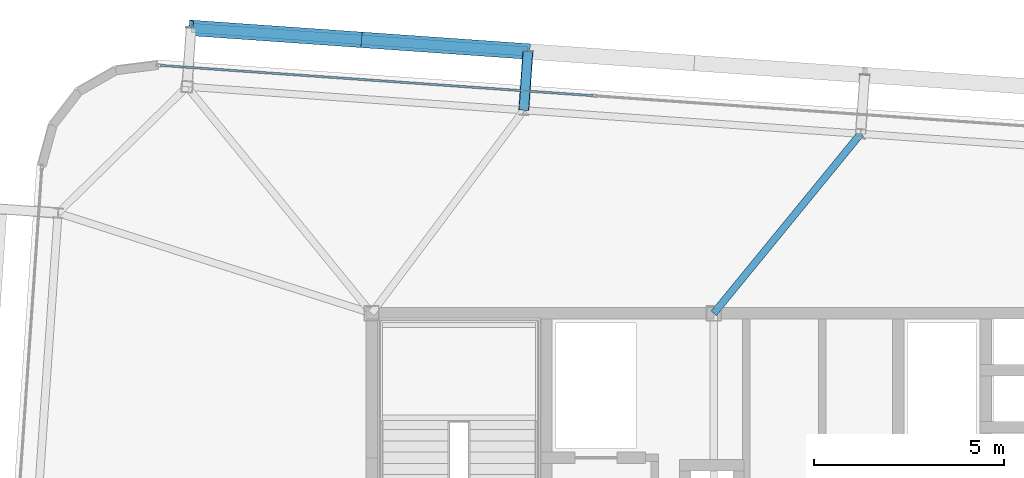
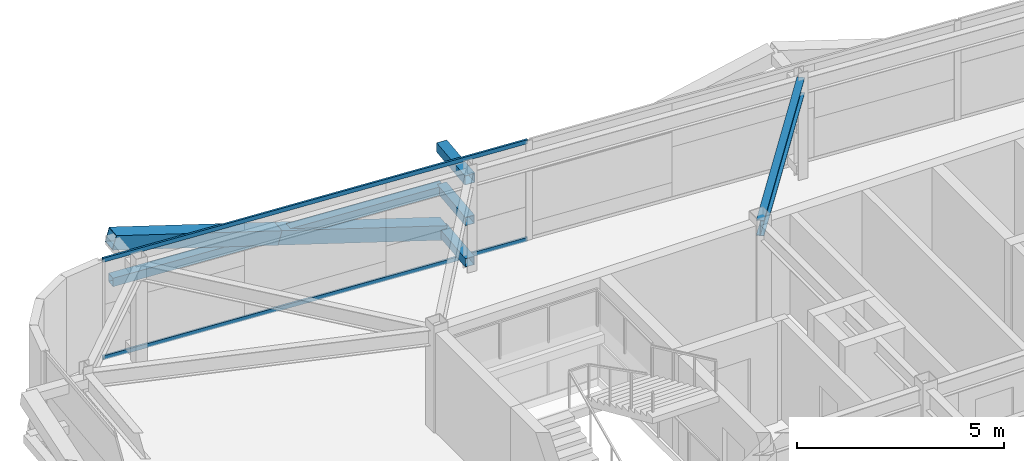
# One storey, part 20 of 39: 8 members, 1 beam, 1 element without a shape of its own.
"""IFC4 building model written with IfcOpenShell, lengths in metres."""

from ifc_helpers import new_model, si_unit, direction, frame, origin, origin_2d, place, context, subcontext, project, spatial, hollow_rectangle, i_section, extrude, source, transform, mapped, material, layer, layer_set, material_profile, profile_set, type_object, element, aggregate, save


model = new_model("IFC4")

# Units and contexts
model_context = context("Model", 3, precision=1e-05, world=origin(), true_north=direction((0.0, 1.0)))
body_context = subcontext(model_context, "Body", "Model", "MODEL_VIEW")
ifc_project = project(units=[si_unit("LENGTHUNIT", "METRE"), si_unit("AREAUNIT", "SQUARE_METRE"), si_unit("VOLUMEUNIT", "CUBIC_METRE"), si_unit("PLANEANGLEUNIT", "RADIAN"), si_unit("MASSUNIT", "GRAM", prefix="KILO")], contexts=[model_context])

# Site, building, storey
site_placement = place(None, origin())
site = spatial("IfcSite", under=ifc_project, at=site_placement, CompositionType="ELEMENT")
building_placement = place(site_placement, origin())
building = spatial("IfcBuilding", under=site, at=building_placement, Name="Taldren Reach Tower", CompositionType="ELEMENT")
storey_placement = place(building_placement, frame((0.0, 0.0, 155.050048828125)))
storey = spatial("IfcBuildingStorey", under=building, at=storey_placement, Name="L47", CompositionType="ELEMENT", Elevation=155.050048828125)

# Members
ifc_material_1 = material(Name="Steel Gr 450 (C450L0)", Category="steel")
ifc_material_profile_1 = material_profile(ifc_material_1, hollow_rectangle(XDim=0.27490234375, YDim=0.27490234375, WallThickness=0.00927734375, at=origin_2d()), Name="275x275x9.3SHS")
ifc_profile_set_1 = profile_set([ifc_material_profile_1], Name="Steel Gr 450 (C450L0)")
member_type_1 = type_object("IfcMemberType", Name="MB-TIE273", PredefinedType="STRUT", material=ifc_profile_set_1)
shared_shape_1 = source(origin(), body_context, "Body", "SweptSolid", [
    extrude(hollow_rectangle(XDim=0.27490234375, YDim=0.27490234375, WallThickness=0.00927734375, at=origin_2d()), origin(), (0.0, 0.0, 1.0), 1.5498046875),
])
member_1_placement = place(storey_placement, frame((23.0029296875, 37.33935546875, 2.64990234375), z_axis=(0.069780535098, 0.997562367434, 0.0), x_axis=(-0.997562367434, 0.069780535098, 0.0)))
element("IfcMember", 1, at=member_1_placement, inside=storey, type_object=member_type_1, Name="Exoskeleton diaphragm tie strut B3-N2 L47", PredefinedType="STRUT", context=body_context, shape_type="MappedRepresentation", body=[
    mapped(shared_shape_1, transform((0.0, 0.0, 0.0), scale=1.0)),
])
ifc_material_2 = material(Name="Steel Gr 350 (C350L0)", Category="steel")
ifc_material_profile_2 = material_profile(ifc_material_2, hollow_rectangle(XDim=0.25, YDim=0.25, WallThickness=0.010009765625, at=origin_2d()), Name="250x250x10.0SHS")
ifc_profile_set_2 = profile_set([ifc_material_profile_2], Name="Steel Gr 350 (C350L0)")
member_type_2 = type_object("IfcMemberType", Name="MB-POST250", PredefinedType="POST", material=ifc_profile_set_2)
shared_shape_2 = source(origin(), body_context, "Body", "SweptSolid", [
    extrude(hollow_rectangle(XDim=0.25, YDim=0.25, WallThickness=0.010009765625, at=origin_2d()), origin(), (0.0, 0.0, 1.0), 1.5498046875),
])
for number, where, z_axis, x_axis, name in (
    (2, (23.0029296875, 37.33935546875, 0.219970703125), (0.069780535098, 0.997562367434, 0.0), (-0.997562367434, 0.069780535098, 0.0), "Exoskeleton base diaphragm tie strut B3-N2 L47"),
    (3, (23.0029296875, 37.33935546875, 1.43505859375), (0.069780535098, 0.997562367434, 0.0), (-0.997562367434, 0.069780535098, 0.0), "Exoskeleton mid-tier diaphragm tie B3-N2 L47"),
):
    element("IfcMember", number, at=place(storey_placement, frame(where, z_axis=z_axis, x_axis=x_axis)), inside=storey, type_object=member_type_2, Name=name, PredefinedType="POST", context=body_context, shape_type="MappedRepresentation", body=[
        mapped(shared_shape_2, transform((0.0, 0.0, 0.0), scale=1.0)),
    ])

# Beam
ifc_material_3 = material(Name="Steel Gr 350 (350PLUS)", Category="steel")
ifc_material_profile_3 = material_profile(ifc_material_3, i_section(OverallWidth=0.19091796875, OverallDepth=0.4599609375, WebThickness=0.010009765625, FlangeThickness=0.01611328125, at=origin_2d()), Name="460UB82.1")
ifc_profile_set_3 = profile_set([ifc_material_profile_3], Name="Steel Gr 350 (350PLUS)")
beam_type = type_object("IfcBeamType", Name="BM-UB460A", PredefinedType="BEAM", material=ifc_profile_set_3)
shared_shape_3 = source(origin(), body_context, "Body", "SweptSolid", [
    extrude(i_section(OverallWidth=0.19091796875, OverallDepth=0.4599609375, WebThickness=0.010009765625, FlangeThickness=0.01611328125, at=origin_2d()), origin(), (0.0, 0.0, 1.0), 6.09814453125),
])
beam_placement = place(storey_placement, frame((28.0, 32.0, 2.699951171875), z_axis=(0.633192006663, 0.773994756247, 0.0), x_axis=(-0.773994756247, 0.633192006663, 0.0)))
element("IfcBeam", 4, at=beam_placement, inside=storey, type_object=beam_type, Name="Primary floor girder B3-N3 L47", PredefinedType="BEAM", context=body_context, shape_type="MappedRepresentation", body=[
    mapped(shared_shape_3, transform((0.0, 0.0, 0.0), scale=1.0)),
])

# Members
shared_shape_4 = source(origin(), body_context, "Body", "SweptSolid", [
    extrude(hollow_rectangle(XDim=0.25, YDim=0.25, WallThickness=0.010009765625, at=origin_2d()), origin(), (0.0, 0.0, 1.0), 8.880126953125),
])
member_2_placement = place(storey_placement, frame((14.252685546875, 39.5048828125, 1.43505859375), z_axis=(0.997564479639, -0.069750333063, 0.0), x_axis=(0.069750333063, 0.997564479639, 0.0)))
element("IfcMember", 5, at=member_2_placement, inside=storey, type_object=member_type_2, Name="Exoskeleton mid-height ring chord B3-N1 L47", PredefinedType="POST", context=body_context, shape_type="MappedRepresentation", body=[
    mapped(shared_shape_4, transform((0.0, 0.0, 0.0), scale=1.0)),
])
ifc_material_profile_4 = material_profile(ifc_material_1, hollow_rectangle(XDim=0.409912109375, YDim=0.409912109375, WallThickness=0.01611328125, at=origin_2d()), Name="410x410x16.0SHS")
ifc_profile_set_4 = profile_set([ifc_material_profile_4], Name="Steel Gr 450 (C450L0)")
member_type_3 = type_object("IfcMemberType", Name="MB-EXO406", PredefinedType="BRACE", material=ifc_profile_set_4)
shared_shape_5 = source(origin(), body_context, "Body", "SweptSolid", [
    extrude(hollow_rectangle(XDim=0.409912109375, YDim=0.409912109375, WallThickness=0.01611328125, at=origin_2d()), origin(), (0.0, 0.0, 1.0), 4.603271484375),
])
for number, where, z_axis, x_axis, name in (
    (6, (23.111083984375, 38.885498046875, 0.219970703125), (-0.962182351074, 0.067302910567, 0.263961060594), (-0.06977769246, -0.997562566276, 0.0), "Exoskeleton Diagrid Brace B3-N1 L47"),
    (7, (18.681884765625, 39.1953125, 1.43505859375), (-0.962199253371, 0.067251055742, 0.263912660389), (-0.069722973508, -0.997566392259, 0.0), "Exoskeleton Diagrid Brace B3-N1 L47"),
):
    element("IfcMember", number, at=place(storey_placement, frame(where, z_axis=z_axis, x_axis=x_axis)), inside=storey, type_object=member_type_3, Name=name, PredefinedType="BRACE", context=body_context, shape_type="MappedRepresentation", body=[
        mapped(shared_shape_5, transform((0.0, 0.0, 0.0), scale=1.0)),
    ])

# Curtain wall, members
ifc_material_4 = material(Name="Aluminium and Low-E Glass Unitised System", Category="aluminium")
ifc_layer = layer(ifc_material_4, 0.159912109375)
ifc_layer_set = layer_set([ifc_layer], Name="Aluminium and Low-E Glass Unitised System")
curtain_wall_type = type_object("IfcCurtainWallType", Name="CW-SYS-4", PredefinedType="NOTDEFINED", material=ifc_layer_set)
curtain_wall_placement = place(storey_placement, origin())
curtain_wall = element("IfcCurtainWall", 8, at=curtain_wall_placement, inside=storey, type_object=curtain_wall_type, Name="Unitised curtain wall CW-L47-N", PredefinedType="NOTDEFINED")
ifc_material_5 = material(Name="Anodised Aluminium 6063-T6", Category="aluminium")
ifc_material_profile_5 = material_profile(ifc_material_5, hollow_rectangle(XDim=0.054931640625, YDim=0.1201171875, WallThickness=0.0029296875, at=origin_2d()), Name="ALU-120x55x3RHS")
ifc_profile_set_5 = profile_set([ifc_material_profile_5], Name="Anodised Aluminium 6063-T6")
member_type_4 = type_object("IfcMemberType", Name="CW-TRN-135", PredefinedType="USERDEFINED", material=ifc_profile_set_5)
shared_shape_6 = source(origin(), body_context, "Body", "SweptSolid", [
    extrude(hollow_rectangle(XDim=0.054931640625, YDim=0.1201171875, WallThickness=0.0029296875, at=origin_2d()), origin(), (0.0, 0.0, 1.0), 11.39501953125),
])
member_3_placement = place(storey_placement, frame((24.819091796875, 37.7236328125, 0.02734375), z_axis=(-0.997563740682, 0.069760900766, 0.0), x_axis=(-0.069760900766, -0.997563740682, 0.0)))
member_3 = element("IfcMember", 9, at=member_3_placement, type_object=member_type_4, Name="CW-4 transom 4.1", ObjectType="TRANSOM", PredefinedType="USERDEFINED", context=body_context, shape_type="MappedRepresentation", body=[
    mapped(shared_shape_6, transform((0.0, 0.0, 0.0), scale=1.0)),
])
member_4_placement = place(storey_placement, frame((24.819091796875, 37.7236328125, 2.90234375), z_axis=(-0.997563740682, 0.069760900766, 0.0), x_axis=(-0.069760900766, -0.997563740682, 0.0)))
member_4 = element("IfcMember", 10, at=member_4_placement, type_object=member_type_4, Name="CW-4 transom 4.2", ObjectType="TRANSOM", PredefinedType="USERDEFINED", context=body_context, shape_type="MappedRepresentation", body=[
    mapped(shared_shape_6, transform((0.0, 0.0, 0.0), scale=1.0)),
])
aggregate(curtain_wall, [member_3, member_4])

save(model, "model.ifc")
